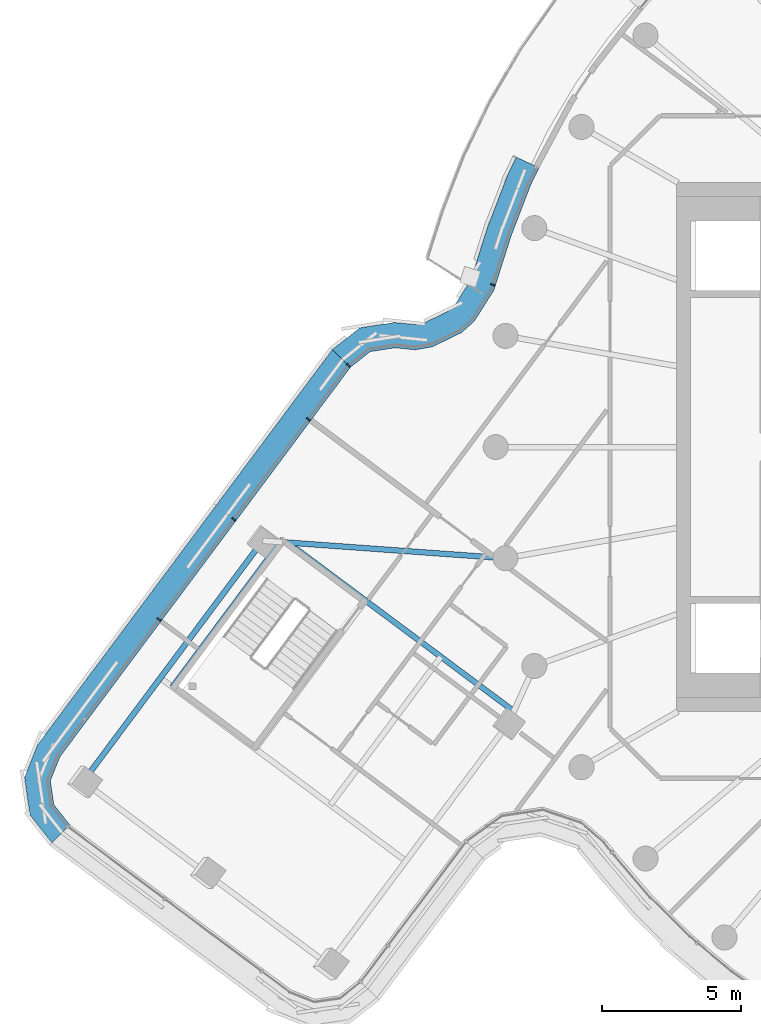
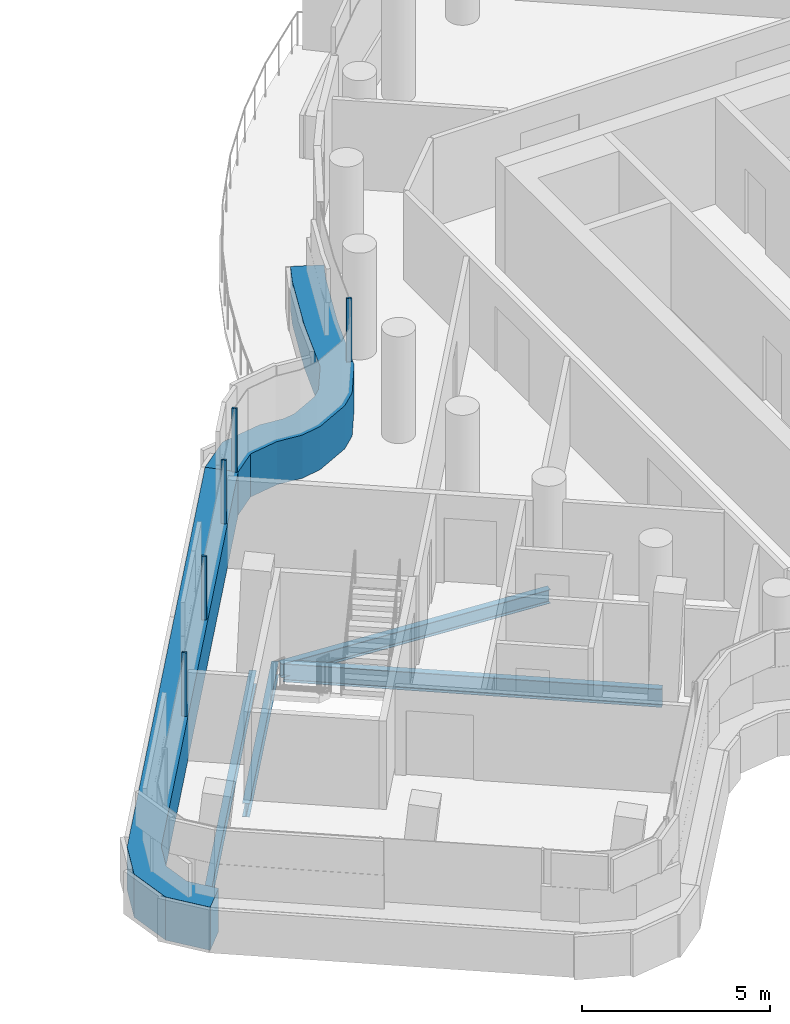
# One storey, part 4 of 27: 7 members, 4 beams, 2 elements without a shape of their own.
"""IFC4 building model written with IfcOpenShell, lengths in metres."""

from ifc_helpers import new_model, si_unit, direction, frame, origin, origin_2d, place, context, subcontext, project, spatial, polyline, rectangle, i_section, outline, extrude, material, layer, layer_set, material_profile, profile_set, type_object, element, aggregate, save


model = new_model("IFC4")

# Units and contexts
model_context = context("Model", 3, precision=1e-05, world=origin(), true_north=direction((0.0, 1.0)))
body_context = subcontext(model_context, "Body", "Model", "MODEL_VIEW")
ifc_project = project(units=[si_unit("LENGTHUNIT", "METRE"), si_unit("AREAUNIT", "SQUARE_METRE"), si_unit("VOLUMEUNIT", "CUBIC_METRE"), si_unit("PLANEANGLEUNIT", "RADIAN"), si_unit("MASSUNIT", "GRAM", prefix="KILO")], contexts=[model_context])

# Site, building, storey
site_placement = place(None, origin())
site = spatial("IfcSite", under=ifc_project, at=site_placement, CompositionType="ELEMENT")
building_placement = place(site_placement, origin())
building = spatial("IfcBuilding", under=site, at=building_placement, Name="Tamarind Cross Interchange Tower", CompositionType="ELEMENT")
storey_placement = place(building_placement, frame((0.0, 0.0, 227.10009765625)))
storey = spatial("IfcBuildingStorey", under=building, at=storey_placement, Name="L57", CompositionType="ELEMENT", Elevation=227.10009765625)

# Beams
ifc_material_1 = material(Name="Steel Q355B", Category="steel")
ifc_material_profile_1 = material_profile(ifc_material_1, i_section(OverallWidth=0.198974609375, OverallDepth=0.446044921875, WebThickness=0.008056640625, FlangeThickness=0.011962890625, FilletRadius=0.012939453125, at=origin_2d()), Name="HN 446x199x8x12")
ifc_profile_set_1 = profile_set([ifc_material_profile_1], Name="Steel Q355B")
beam_type_1 = type_object("IfcBeamType", Name="Composite beam HN 446x199x8x12 Q355B", PredefinedType="BEAM", material=ifc_profile_set_1)
beam_1_placement = place(storey_placement, frame((-37.82275390625, -12.016357421875, -0.363037109375), z_axis=(0.597836938471, 0.801617736206, 0.0), x_axis=(-0.801617736206, 0.597836938471, 0.0)))
element("IfcBeam", 1, at=beam_1_placement, inside=storey, type_object=beam_type_1, Name="Beam W-edgeem4", PredefinedType="BEAM", context=body_context, shape_type="SweptSolid", body=[
    extrude(i_section(OverallWidth=0.198974609375, OverallDepth=0.446044921875, WebThickness=0.008056640625, FlangeThickness=0.011962890625, FilletRadius=0.012939453125, at=origin_2d()), origin(), (0.0, 0.0, 1.0), 10.7919921875),
])
beam_2_placement = place(storey_placement, frame((-30.566162109375, -3.42333984375, -0.363037109375), z_axis=(0.997412266671, -0.071894160361, 0.0), x_axis=(0.071894160361, 0.997412266671, 0.0)))
element("IfcBeam", 2, at=beam_2_placement, inside=storey, type_object=beam_type_1, Name="Beam W-linkemt1", PredefinedType="BEAM", context=body_context, shape_type="SweptSolid", body=[
    extrude(i_section(OverallWidth=0.198974609375, OverallDepth=0.446044921875, WebThickness=0.008056640625, FlangeThickness=0.011962890625, FilletRadius=0.012939453125, at=origin_2d()), origin(), (0.0, 0.0, 1.0), 7.93603515625),
])
beam_3_placement = place(storey_placement, frame((-30.64794921875, -3.29931640625, -0.363037109375), z_axis=(-0.597843115867, -0.801613129141, 0.0), x_axis=(0.801613129141, -0.597843115867, 0.0)))
element("IfcBeam", 3, at=beam_3_placement, inside=storey, type_object=beam_type_1, Name="Beam W-tr0", PredefinedType="BEAM", context=body_context, shape_type="SweptSolid", body=[
    extrude(i_section(OverallWidth=0.198974609375, OverallDepth=0.446044921875, WebThickness=0.008056640625, FlangeThickness=0.011962890625, FilletRadius=0.012939453125, at=origin_2d()), origin(), (0.0, 0.0, 1.0), 6.63525390625),
])
ifc_material_profile_2 = material_profile(ifc_material_1, i_section(OverallWidth=0.198974609375, OverallDepth=0.595947265625, WebThickness=0.010009765625, FlangeThickness=0.014892578125, FilletRadius=0.012939453125, at=origin_2d()), Name="HN 596x199x10x15")
ifc_profile_set_2 = profile_set([ifc_material_profile_2], Name="Steel Q355B")
beam_type_2 = type_object("IfcBeamType", Name="Composite beam HN 596x199x10x15 Q355B", PredefinedType="BEAM", material=ifc_profile_set_2)
beam_4_placement = place(storey_placement, frame((-30.472412109375, -3.43017578125, -0.43798828125), z_axis=(0.801624540058, -0.597827815326, 0.0), x_axis=(0.597827815326, 0.801624540058, 0.0)))
element("IfcBeam", 4, at=beam_4_placement, inside=storey, type_object=beam_type_2, Name="Beam W-x298", PredefinedType="BEAM", context=body_context, shape_type="SweptSolid", body=[
    extrude(i_section(OverallWidth=0.198974609375, OverallDepth=0.595947265625, WebThickness=0.010009765625, FlangeThickness=0.014892578125, FilletRadius=0.012939453125, at=origin_2d()), origin(), (0.0, 0.0, 1.0), 10.134765625),
])

# Curtain wall, member
ifc_material_2 = material(Name="Aluminium 6063-T6", Category="aluminium")
ifc_layer = layer(ifc_material_2, 0.139892578125)
ifc_layer_set = layer_set([ifc_layer], Name="Aluminium 6063-T6")
curtain_wall_type = type_object("IfcCurtainWallType", Name="Hotel curtain wall, 4.5 m bays", PredefinedType="NOTDEFINED", material=ifc_layer_set)
curtain_wall_1_placement = place(storey_placement, origin())
curtain_wall_1 = element("IfcCurtainWall", 5, at=curtain_wall_1_placement, inside=storey, type_object=curtain_wall_type, Name="CWS-L57-06", PredefinedType="NOTDEFINED")
ifc_material_3 = material(Name="Aluminium and insulated spandrel panel", Category="aluminium")
member_type_1 = type_object("IfcMemberType", Name="Floor-edge blade transom", PredefinedType="USERDEFINED", material=ifc_material_3)
member_1_placement = place(storey_placement, origin())
member_1 = element("IfcMember", 6, at=member_1_placement, type_object=member_type_1, Name="CWT-L57-06-1", ObjectType="TRANSOM", PredefinedType="USERDEFINED", context=body_context, shape_type="SweptSolid", body=[
    extrude(outline(polyline([(-21.4462890625, 10.03369140625), (-21.74072265625, 9.425048828125), (-22.44580078125, 7.594482421875), (-23.072021484375, 5.621826171875), (-23.7705078125, 4.521484375), (-24.23291015625, 4.10888671875), (-25.2822265625, 3.60009765625), (-25.892578125, 3.492431640625), (-26.623046875, 3.5673828125), (-27.514892578125, 3.42724609375), (-28.22119140625, 2.865234375), (-28.872802734375, 3.4970703125), (-27.88916015625, 4.279541015625), (-26.6474609375, 4.474609375), (-25.92529296875, 4.400634765625), (-25.562255859375, 4.464599609375), (-24.738525390625, 4.864013671875), (-24.463134765625, 5.109619140625), (-23.89453125, 6.00537109375), (-23.29541015625, 7.892822265625), (-22.567138671875, 9.783203125), (-22.261474609375, 10.4150390625), (-21.4462890625, 10.03369140625)])), origin(), (0.0, 0.0, 1.0), 1.39990234375),
])

curtain_wall_2_placement = place(storey_placement, origin())
curtain_wall_2 = element("IfcCurtainWall", 7, at=curtain_wall_2_placement, inside=storey, type_object=curtain_wall_type, Name="CWS-L57-07", PredefinedType="NOTDEFINED")
member_2_placement = place(storey_placement, origin())
member_2 = element("IfcMember", 8, at=member_2_placement, type_object=member_type_1, Name="CWT-L57-07", ObjectType="TRANSOM", PredefinedType="USERDEFINED", context=body_context, shape_type="SweptSolid", body=[
    extrude(outline(polyline([(-28.22119140625, 2.865234375), (-38.6611328125, -11.133056640625), (-38.999755859375, -11.983642578125), (-38.873779296875, -12.848876953125), (-38.306640625, -13.5673828125), (-38.939697265625, -14.218017578125), (-39.7294921875, -13.21728515625), (-39.925048828125, -11.87451171875), (-39.453369140625, -10.68994140625), (-28.872802734375, 3.4970703125), (-28.22119140625, 2.865234375)])), origin(), (0.0, 0.0, 1.0), 1.39990234375),
])

# Member
ifc_material_profile_3 = material_profile(ifc_material_2, rectangle(XDim=0.06005859375, YDim=0.139892578125, at=origin_2d()), Name="Mullion CW2")
ifc_profile_set_3 = profile_set([ifc_material_profile_3], Name="Aluminium 6063-T6")
member_type_2 = type_object("IfcMemberType", Name="Mullion CW2", PredefinedType="MULLION", material=ifc_profile_set_3)
member_3_placement = place(storey_placement, frame((-23.1103515625, 5.8310546875, 1.39990234375), z_axis=(0.0, 0.0, 1.0), x_axis=(-0.302552246767, -0.953132801857, 0.0)))
member_3 = element("IfcMember", 9, at=member_3_placement, type_object=member_type_2, Name="CWM-L57-06-04", PredefinedType="MULLION", context=body_context, shape_type="SweptSolid", body=[
    extrude(rectangle(XDim=0.06005859375, YDim=0.139892578125, at=origin_2d()), origin(), (0.0, 0.0, 1.0), 2.06005859375),
])

aggregate(curtain_wall_1, [member_3, member_1])

member_4_placement = place(storey_placement, frame((-28.293701171875, 2.935546875, 1.39990234375), z_axis=(0.0, 0.0, 1.0), x_axis=(-0.696007066968, -0.718034931414, 0.0)))
member_4 = element("IfcMember", 10, at=member_4_placement, type_object=member_type_2, Name="CWM-L57-07-00", PredefinedType="MULLION", context=body_context, shape_type="SweptSolid", body=[
    extrude(rectangle(XDim=0.06005859375, YDim=0.139892578125, at=origin_2d()), origin(), (0.0, 0.0, 1.0), 2.06005859375),
])

member_5_placement = place(storey_placement, frame((-29.73388671875, 1.004150390625, 1.39990234375), z_axis=(0.0, 0.0, 1.0), x_axis=(-0.597837829041, -0.801617072029, 0.0)))
member_5 = element("IfcMember", 11, at=member_5_placement, type_object=member_type_2, Name="CWM-L57-07-01", PredefinedType="MULLION", context=body_context, shape_type="SweptSolid", body=[
    extrude(rectangle(XDim=0.06005859375, YDim=0.139892578125, at=origin_2d()), origin(), (0.0, 0.0, 1.0), 2.06005859375),
])

member_6_placement = place(storey_placement, frame((-32.416259765625, -2.592529296875, 1.39990234375), z_axis=(0.0, 0.0, 1.0), x_axis=(-0.597837829041, -0.801617072029, 0.0)))
member_6 = element("IfcMember", 12, at=member_6_placement, type_object=member_type_2, Name="CWM-L57-07-02", PredefinedType="MULLION", context=body_context, shape_type="SweptSolid", body=[
    extrude(rectangle(XDim=0.06005859375, YDim=0.139892578125, at=origin_2d()), origin(), (0.0, 0.0, 1.0), 2.06005859375),
])

member_7_placement = place(storey_placement, frame((-35.098388671875, -6.18896484375, 1.39990234375), z_axis=(0.0, 0.0, 1.0), x_axis=(-0.597837829041, -0.801617072029, 0.0)))
member_7 = element("IfcMember", 13, at=member_7_placement, type_object=member_type_2, Name="CWM-L57-07-03", PredefinedType="MULLION", context=body_context, shape_type="SweptSolid", body=[
    extrude(rectangle(XDim=0.06005859375, YDim=0.139892578125, at=origin_2d()), origin(), (0.0, 0.0, 1.0), 2.06005859375),
])

aggregate(curtain_wall_2, [member_4, member_5, member_6, member_7, member_2])

save(model, "model.ifc")
